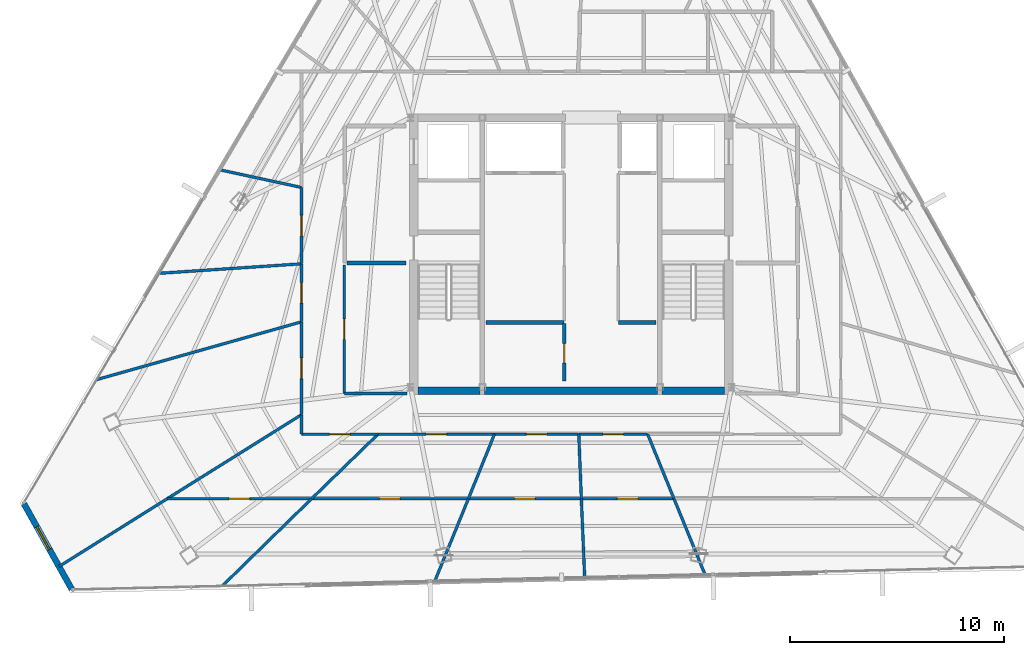
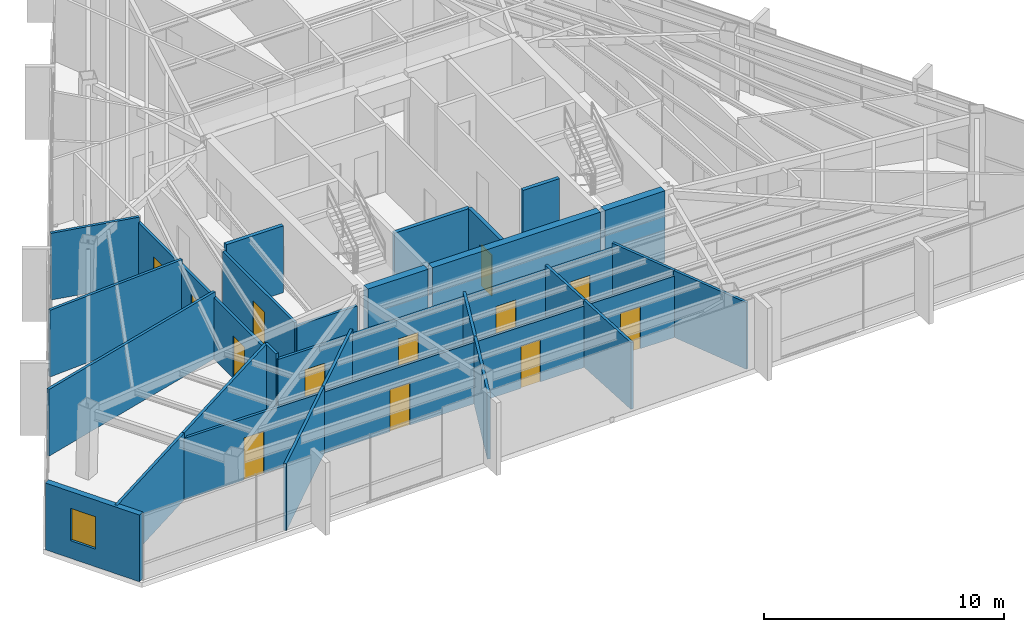
# One storey, part 40 of 45: 35 walls, 13 doors, 1 window, 14 openings.
"""IFC4 building model written with IfcOpenShell, lengths in metres."""

from ifc_helpers import new_model, si_unit, direction, frame, frame_2d, origin, place, context, subcontext, project, spatial, rectangle, extrude, material, layer, layer_set, type_object, element, fill, save


model = new_model("IFC4")

# Units and contexts
model_context = context("Model", 3, precision=1e-05, world=origin(), true_north=direction((0.0, 1.0)))
body_context = subcontext(model_context, "Body", "Model", "MODEL_VIEW")
ifc_project = project(units=[si_unit("LENGTHUNIT", "METRE"), si_unit("AREAUNIT", "SQUARE_METRE"), si_unit("VOLUMEUNIT", "CUBIC_METRE"), si_unit("PLANEANGLEUNIT", "RADIAN"), si_unit("MASSUNIT", "GRAM", prefix="KILO")], contexts=[model_context])

# Site, building, storey
site_placement = place(None, origin())
site = spatial("IfcSite", under=ifc_project, at=site_placement, CompositionType="ELEMENT")
building_placement = place(site_placement, origin())
building = spatial("IfcBuilding", under=site, at=building_placement, Name="Caelisora Broadcast Tower", CompositionType="ELEMENT")
storey_placement = place(building_placement, frame((0.0, 0.0, 266.35009765625)))
storey = spatial("IfcBuildingStorey", under=building, at=storey_placement, Name="L70", CompositionType="ELEMENT", Elevation=266.35009765625)

# Walls
ifc_material_1 = material(Name="Concrete 40 MPa (AS 3600 N40)", Category="concrete")
ifc_layer_1 = layer(ifc_material_1, 0.35009765625, Name="Concrete 40 MPa (AS 3600 N40)")
ifc_layer_set_1 = layer_set([ifc_layer_1], Name="Concrete 40 MPa (AS 3600 N40)")
wall_type_1 = type_object("IfcWallType", Name="CW6", PredefinedType="SHEAR", material=ifc_layer_set_1)
wall_1_placement = place(storey_placement, frame((30.840087890625, 17.22509765625, 0.0), z_axis=(0.0, 0.0, 1.0), x_axis=(1.0, 0.0, 0.0)))
element("IfcWall", 1, at=wall_1_placement, inside=storey, type_object=wall_type_1, Name="L70 core shear wall CW6", PredefinedType="SHEAR", context=body_context, shape_type="SweptSolid", body=[
    extrude(rectangle(XDim=2.89990234375, YDim=0.35009765625, at=frame_2d((1.449951171875, 0.0))), origin(), (0.0, 0.0, 1.0), 3.64990234375),
])
wall_2_placement = place(storey_placement, frame((33.9599609375, 17.22509765625, 0.0), z_axis=(0.0, 0.0, 1.0), x_axis=(1.0, 0.0, 0.0)))
element("IfcWall", 2, at=wall_2_placement, inside=storey, type_object=wall_type_1, Name="L70 core shear wall CW6", PredefinedType="SHEAR", context=body_context, shape_type="SweptSolid", body=[
    extrude(rectangle(XDim=8.080078125, YDim=0.35009765625, at=frame_2d((4.0400390625, 0.0))), origin(), (0.0, 0.0, 1.0), 3.64990234375),
])
wall_3_placement = place(storey_placement, frame((42.260009765625, 17.22509765625, 0.0), z_axis=(0.0, 0.0, 1.0), x_axis=(1.0, 0.0, 0.0)))
element("IfcWall", 3, at=wall_3_placement, inside=storey, type_object=wall_type_1, Name="L70 core shear wall CW6", PredefinedType="SHEAR", context=body_context, shape_type="SweptSolid", body=[
    extrude(rectangle(XDim=2.89990234375, YDim=0.35009765625, at=frame_2d((1.449951171875, 0.0))), origin(), (0.0, 0.0, 1.0), 3.64990234375),
])

# Wall, opening, window
ifc_material_2 = material(Name="Insulated Terracotta Spandrel Wall System", Category="masonry")
ifc_layer_2 = layer(ifc_material_2, 0.280029296875, Name="Insulated Terracotta Spandrel Wall System")
ifc_layer_set_2 = layer_set([ifc_layer_2], Name="Insulated Terracotta Spandrel Wall System")
wall_type_2 = type_object("IfcWallType", Name="EW1", PredefinedType="STANDARD", material=ifc_layer_set_2)
wall_4_placement = place(storey_placement, frame((14.659423828125, 7.953125, 0.0), z_axis=(0.0, 0.0, 1.0), x_axis=(-0.487850090172, 0.872927425116, 0.0)))
wall_4 = element("IfcWall", 4, at=wall_4_placement, inside=storey, type_object=wall_type_2, Name="L70 exterior envelope wall EW1", PredefinedType="STANDARD", context=body_context, shape_type="SweptSolid", body=[
    extrude(rectangle(XDim=4.570556640625, YDim=0.280029296875, at=frame_2d((2.28515625, 0.0))), origin(), (0.0, 0.0, 1.0), 3.39990234375),
])
opening_1_placement = place(wall_4_placement, frame((2.139892578125, 0.0, 0.89990234375)))
opening_1 = element("IfcOpeningElement", 5, at=opening_1_placement, cuts=wall_4, Name="Opening W03", PredefinedType="OPENING", context=body_context, shape_type="SweptSolid", body=[
    extrude(rectangle(XDim=1.199951171875, YDim=1.64990234375, at=frame_2d((0.60009765625, 0.824951171875))), frame((0.0, 0.152099609375, 0.0), z_axis=(0.0, -1.0, 0.0), x_axis=(1.0, 0.0, 0.0)), (0.0, 0.0, 1.0), 0.303955078125),
])
ifc_material_3 = material(Name="Double Glazed Corner Vision Window", Category="glass")
window_type = type_object("IfcWindowType", Name="W03", PartitioningType="SINGLE_PANEL", PredefinedType="WINDOW", material=ifc_material_3)
window_placement = place(opening_1_placement, origin())
window = element("IfcWindow", 6, at=window_placement, inside=storey, type_object=window_type, Name="L70 window W03 (L70-WN-CH4)", OverallHeight=1.64990234375, OverallWidth=1.199951171875, PartitioningType="SINGLE_PANEL", PredefinedType="WINDOW", context=body_context, shape_type="SweptSolid", body=[
    extrude(rectangle(XDim=1.199951171875, YDim=1.64990234375, at=frame_2d((0.60009765625, 0.824951171875))), frame((0.0, 0.030029296875, 0.0), z_axis=(0.0, -1.0, 0.0), x_axis=(1.0, 0.0, 0.0)), (0.0, 0.0, 1.0), 0.06005859375),
])
fill(opening_1, window)

# Walls
ifc_material_4 = material(Name="Fire-Rated Gypsum Shaft and Compartment Wall", Category="gypsum")
ifc_layer_3 = layer(ifc_material_4, 0.179931640625, Name="Fire-Rated Gypsum Shaft and Compartment Wall")
ifc_layer_set_3 = layer_set([ifc_layer_3], Name="Fire-Rated Gypsum Shaft and Compartment Wall")
wall_type_3 = type_object("IfcWallType", Name="PW2", PredefinedType="PARTITIONING", material=ifc_layer_set_3)
wall_5_placement = place(storey_placement, frame((27.52001953125, 23.199951171875, 0.0), z_axis=(0.0, 0.0, 1.0), x_axis=(1.0, 0.0, 0.0)))
element("IfcWall", 7, at=wall_5_placement, inside=storey, type_object=wall_type_3, Name="L70 fire compartment wall PW2", PredefinedType="PARTITIONING", context=body_context, shape_type="SweptSolid", body=[
    extrude(rectangle(XDim=2.760009765625, YDim=0.179931640625, at=frame_2d((1.3798828125, 0.0))), origin(), (0.0, 0.0, 1.0), 3.39990234375),
])
wall_6_placement = place(storey_placement, frame((34.02001953125, 20.419921875, 0.0), z_axis=(0.0, 0.0, 1.0), x_axis=(1.0, 0.0, 0.0)))
element("IfcWall", 8, at=wall_6_placement, inside=storey, type_object=wall_type_3, Name="L70 fire compartment wall PW2", PredefinedType="PARTITIONING", context=body_context, shape_type="SweptSolid", body=[
    extrude(rectangle(XDim=3.639892578125, YDim=0.179931640625, at=frame_2d((1.81982421875, 0.0))), origin(), (0.0, 0.0, 1.0), 3.39990234375),
])
wall_7_placement = place(storey_placement, frame((40.219970703125, 20.419921875, 0.0), z_axis=(0.0, 0.0, 1.0), x_axis=(1.0, 0.0, 0.0)))
element("IfcWall", 9, at=wall_7_placement, inside=storey, type_object=wall_type_3, Name="L70 fire compartment wall PW2", PredefinedType="PARTITIONING", context=body_context, shape_type="SweptSolid", body=[
    extrude(rectangle(XDim=1.760009765625, YDim=0.179931640625, at=frame_2d((0.8798828125, 0.0))), origin(), (0.0, 0.0, 1.0), 3.39990234375),
])

# Wall, opening, door
wall_8_placement = place(storey_placement, frame((37.679931640625, 17.679931640625, 0.0), z_axis=(0.0, 0.0, 1.0), x_axis=(0.0, 1.0, 0.0)))
wall_8 = element("IfcWall", 10, at=wall_8_placement, inside=storey, type_object=wall_type_3, Name="L70 fire compartment wall PW2", PredefinedType="PARTITIONING", context=body_context, shape_type="SweptSolid", body=[
    extrude(rectangle(XDim=2.699951171875, YDim=0.179931640625, at=frame_2d((1.35009765625, 0.0))), origin(), (0.0, 0.0, 1.0), 3.39990234375),
])
opening_2_placement = place(wall_8_placement, frame((0.85009765625, 0.0, 0.0)))
opening_2 = element("IfcOpeningElement", 11, at=opening_2_placement, cuts=wall_8, Name="Opening FD03", PredefinedType="OPENING", context=body_context, shape_type="SweptSolid", body=[
    extrude(rectangle(XDim=0.89990234375, YDim=2.10009765625, at=frame_2d((0.449951171875, 1.050048828125))), frame((0.0, 0.10205078125, 0.0), z_axis=(0.0, -1.0, 0.0), x_axis=(1.0, 0.0, 0.0)), (0.0, 0.0, 1.0), 0.203857421875),
])
ifc_material_5 = material(Name="Single-Leaf Steel Riser Fire Access Door", Category="steel")
door_type_1 = type_object("IfcDoorType", Name="FD03", OperationType="NOTDEFINED", PredefinedType="DOOR", material=ifc_material_5)
door_1_placement = place(opening_2_placement, origin())
door_1 = element("IfcDoor", 12, at=door_1_placement, inside=storey, type_object=door_type_1, Name="L70 door FD03 (L70-DR-P13D1)", OperationType="SINGLE_SWING_LEFT", OverallHeight=2.10009765625, OverallWidth=0.89990234375, PredefinedType="DOOR", context=body_context, shape_type="SweptSolid", body=[
    extrude(rectangle(XDim=0.89990234375, YDim=2.10009765625, at=frame_2d((0.449951171875, 1.050048828125))), frame((0.0, 0.02490234375, 0.0), z_axis=(0.0, -1.0, 0.0), x_axis=(1.0, 0.0, 0.0)), (0.0, 0.0, 1.0), 0.050048828125),
])
fill(opening_2, door_1)

# Walls
ifc_material_6 = material(Name="Acoustic Steel-Stud Plasterboard Partition", Category="gypsum")
ifc_layer_4 = layer(ifc_material_6, 0.1298828125, Name="Acoustic Steel-Stud Plasterboard Partition")
ifc_layer_set_4 = layer_set([ifc_layer_4], Name="Acoustic Steel-Stud Plasterboard Partition")
wall_type_4 = type_object("IfcWallType", Name="PW3", PredefinedType="PARTITIONING", material=ifc_layer_set_4)
wall_9_placement = place(storey_placement, frame((15.82177734375, 17.747314453125, 0.0), z_axis=(0.0, 0.0, 1.0), x_axis=(0.962409875461, 0.271601236403, 0.0)))
element("IfcWall", 13, at=wall_9_placement, inside=storey, type_object=wall_type_4, Name="L70 internal partition PW3", PredefinedType="PARTITIONING", context=body_context, shape_type="SweptSolid", body=[
    extrude(rectangle(XDim=9.947265625, YDim=0.1298828125, at=frame_2d((4.9736328125, 0.0))), origin(), (0.0, 0.0, 1.0), 3.39990234375),
])
wall_10_placement = place(storey_placement, frame((19.1240234375, 12.18310546875, 0.0), z_axis=(0.0, 0.0, 1.0), x_axis=(0.847764627616, 0.530372638966, 0.0)))
element("IfcWall", 14, at=wall_10_placement, inside=storey, type_object=wall_type_4, Name="L70 internal partition PW3", PredefinedType="PARTITIONING", context=body_context, shape_type="SweptSolid", body=[
    extrude(rectangle(XDim=7.398193359375, YDim=0.1298828125, at=frame_2d((3.69921875, 0.0))), origin(), (0.0, 0.0, 1.0), 3.39990234375),
])

# Wall, opening, door
wall_11_placement = place(storey_placement, frame((25.875, 12.179931640625, 0.0), z_axis=(0.0, 0.0, 1.0), x_axis=(1.0, 0.0, 0.0)))
wall_11 = element("IfcWall", 15, at=wall_11_placement, inside=storey, type_object=wall_type_4, Name="L70 internal partition PW3", PredefinedType="PARTITIONING", context=body_context, shape_type="SweptSolid", body=[
    extrude(rectangle(XDim=7.320068359375, YDim=0.1298828125, at=frame_2d((3.66015625, 0.0))), origin(), (0.0, 0.0, 1.0), 3.128662109375),
])
opening_3_placement = place(wall_11_placement, frame((3.179931640625, 0.0, 0.0)))
opening_3 = element("IfcOpeningElement", 16, at=opening_3_placement, cuts=wall_11, Name="Opening D01", PredefinedType="OPENING", context=body_context, shape_type="SweptSolid", body=[
    extrude(rectangle(XDim=0.9599609375, YDim=2.14990234375, at=frame_2d((0.47998046875, 1.074951171875))), frame((0.0, 0.076904296875, 0.0), z_axis=(0.0, -1.0, 0.0), x_axis=(1.0, 0.0, 0.0)), (0.0, 0.0, 1.0), 0.15380859375),
])
ifc_material_7 = material(Name="Solid-Core Timber Acoustic Office Door", Category="wood")
door_type_2 = type_object("IfcDoorType", Name="D01", OperationType="NOTDEFINED", PredefinedType="DOOR", material=ifc_material_7)
door_2_placement = place(opening_3_placement, origin())
door_2 = element("IfcDoor", 17, at=door_2_placement, inside=storey, type_object=door_type_2, Name="L70 door D01 (L70-DR-P38D1)", OperationType="SINGLE_SWING_LEFT", OverallHeight=2.14990234375, OverallWidth=0.9599609375, PredefinedType="DOOR", context=body_context, shape_type="SweptSolid", body=[
    extrude(rectangle(XDim=0.9599609375, YDim=2.14990234375, at=frame_2d((0.47998046875, 1.074951171875))), frame((0.0, 0.02490234375, 0.0), z_axis=(0.0, -1.0, 0.0), x_axis=(1.0, 0.0, 0.0)), (0.0, 0.0, 1.0), 0.050048828125),
])
fill(opening_3, door_2)

# Wall
wall_12_placement = place(storey_placement, frame((18.75732421875, 22.7177734375, 0.0), z_axis=(0.0, 0.0, 1.0), x_axis=(0.997788891199, 0.066462986684, 0.0)))
element("IfcWall", 18, at=wall_12_placement, inside=storey, type_object=wall_type_4, Name="L70 internal partition PW3", PredefinedType="PARTITIONING", context=body_context, shape_type="SweptSolid", body=[
    extrude(rectangle(XDim=6.65234375, YDim=0.1298828125, at=frame_2d((3.326171875, 0.0))), origin(), (0.0, 0.0, 1.0), 3.39990234375),
])

# Wall, opening, door
wall_13_placement = place(storey_placement, frame((19.125, 12.179931640625, 0.0), z_axis=(0.0, 0.0, 1.0), x_axis=(1.0, 0.0, 0.0)))
wall_13 = element("IfcWall", 19, at=wall_13_placement, inside=storey, type_object=wall_type_4, Name="L70 internal partition PW3", PredefinedType="PARTITIONING", context=body_context, shape_type="SweptSolid", body=[
    extrude(rectangle(XDim=6.739990234375, YDim=0.1298828125, at=frame_2d((3.3701171875, 0.0))), origin(), (0.0, 0.0, 1.0), 3.128662109375),
])
opening_4_placement = place(wall_13_placement, frame((2.889892578125, 0.0, 0.0)))
opening_4 = element("IfcOpeningElement", 20, at=opening_4_placement, cuts=wall_13, Name="Opening D01", PredefinedType="OPENING", context=body_context, shape_type="SweptSolid", body=[
    extrude(rectangle(XDim=0.9599609375, YDim=2.14990234375, at=frame_2d((0.47998046875, 1.074951171875))), frame((0.0, 0.076904296875, 0.0), z_axis=(0.0, -1.0, 0.0), x_axis=(1.0, 0.0, 0.0)), (0.0, 0.0, 1.0), 0.15380859375),
])
door_3_placement = place(opening_4_placement, origin())
door_3 = element("IfcDoor", 21, at=door_3_placement, inside=storey, type_object=door_type_2, Name="L70 door D01 (L70-DR-P40D1)", OperationType="SINGLE_SWING_RIGHT", OverallHeight=2.14990234375, OverallWidth=0.9599609375, PredefinedType="DOOR", context=body_context, shape_type="SweptSolid", body=[
    extrude(rectangle(XDim=0.9599609375, YDim=2.14990234375, at=frame_2d((0.47998046875, 1.074951171875))), frame((0.0, 0.02490234375, 0.0), z_axis=(0.0, -1.0, 0.0), x_axis=(1.0, 0.0, 0.0)), (0.0, 0.0, 1.0), 0.050048828125),
])
fill(opening_4, door_3)

wall_14_placement = place(storey_placement, frame((27.39990234375, 17.10498046875, 0.0), z_axis=(0.0, 0.0, 1.0), x_axis=(0.0, 1.0, 0.0)))
wall_14 = element("IfcWall", 22, at=wall_14_placement, inside=storey, type_object=wall_type_4, Name="L70 internal partition PW3", PredefinedType="PARTITIONING", context=body_context, shape_type="SweptSolid", body=[
    extrude(rectangle(XDim=6.0, YDim=0.1298828125, at=frame_2d((3.0, 0.0))), origin(), (0.0, 0.0, 1.0), 3.128662109375),
])
opening_5_placement = place(wall_14_placement, frame((2.52001953125, 0.0, 0.0)))
opening_5 = element("IfcOpeningElement", 23, at=opening_5_placement, cuts=wall_14, Name="Opening D01", PredefinedType="OPENING", context=body_context, shape_type="SweptSolid", body=[
    extrude(rectangle(XDim=0.9599609375, YDim=2.14990234375, at=frame_2d((0.47998046875, 1.074951171875))), frame((0.0, 0.076904296875, 0.0), z_axis=(0.0, -1.0, 0.0), x_axis=(1.0, 0.0, 0.0)), (0.0, 0.0, 1.0), 0.15380859375),
])
door_4_placement = place(opening_5_placement, origin())
door_4 = element("IfcDoor", 24, at=door_4_placement, inside=storey, type_object=door_type_2, Name="L70 door D01 (L70-DR-P42D1)", OperationType="SINGLE_SWING_LEFT", OverallHeight=2.14990234375, OverallWidth=0.9599609375, PredefinedType="DOOR", context=body_context, shape_type="SweptSolid", body=[
    extrude(rectangle(XDim=0.9599609375, YDim=2.14990234375, at=frame_2d((0.47998046875, 1.074951171875))), frame((0.0, 0.02490234375, 0.0), z_axis=(0.0, -1.0, 0.0), x_axis=(1.0, 0.0, 0.0)), (0.0, 0.0, 1.0), 0.050048828125),
])
fill(opening_5, door_4)

# Walls
wall_15_placement = place(storey_placement, frame((14.06201171875, 9.011474609375, 0.0), z_axis=(0.0, 0.0, 1.0), x_axis=(0.847485015363, 0.530819318352, 0.0)))
element("IfcWall", 25, at=wall_15_placement, inside=storey, type_object=wall_type_4, Name="L70 internal partition PW3", PredefinedType="PARTITIONING", context=body_context, shape_type="SweptSolid", body=[
    extrude(rectangle(XDim=5.96337890625, YDim=0.1298828125, at=frame_2d((2.981689453125, 0.0))), origin(), (0.0, 0.0, 1.0), 3.39990234375),
])
wall_16_placement = place(storey_placement, frame((21.681884765625, 8.089599609375, 0.0), z_axis=(0.0, 0.0, 1.0), x_axis=(0.715322804815, 0.698794164909, 0.0)))
element("IfcWall", 26, at=wall_16_placement, inside=storey, type_object=wall_type_4, Name="L70 internal partition PW3", PredefinedType="PARTITIONING", context=body_context, shape_type="SweptSolid", body=[
    extrude(rectangle(XDim=5.84912109375, YDim=0.1298828125, at=frame_2d((2.924560546875, 0.0))), origin(), (0.0, 0.0, 1.0), 3.39990234375),
])

# Wall, opening, door
wall_17_placement = place(storey_placement, frame((28.985107421875, 15.199951171875, 0.0), z_axis=(0.0, 0.0, 1.0), x_axis=(1.0, 0.0, 0.0)))
wall_17 = element("IfcWall", 27, at=wall_17_placement, inside=storey, type_object=wall_type_4, Name="L70 internal partition PW3", PredefinedType="PARTITIONING", context=body_context, shape_type="SweptSolid", body=[
    extrude(rectangle(XDim=5.429931640625, YDim=0.1298828125, at=frame_2d((2.71484375, 0.0))), origin(), (0.0, 0.0, 1.0), 3.128662109375),
])
opening_6_placement = place(wall_17_placement, frame((2.235107421875, 0.0, 0.0)))
opening_6 = element("IfcOpeningElement", 28, at=opening_6_placement, cuts=wall_17, Name="Opening D01", PredefinedType="OPENING", context=body_context, shape_type="SweptSolid", body=[
    extrude(rectangle(XDim=0.9599609375, YDim=2.14990234375, at=frame_2d((0.47998046875, 1.074951171875))), frame((0.0, 0.076904296875, 0.0), z_axis=(0.0, -1.0, 0.0), x_axis=(1.0, 0.0, 0.0)), (0.0, 0.0, 1.0), 0.15380859375),
])
door_5_placement = place(opening_6_placement, origin())
door_5 = element("IfcDoor", 29, at=door_5_placement, inside=storey, type_object=door_type_2, Name="L70 door D01 (L70-DR-P47D1)", OperationType="SINGLE_SWING_LEFT", OverallHeight=2.14990234375, OverallWidth=0.9599609375, PredefinedType="DOOR", context=body_context, shape_type="SweptSolid", body=[
    extrude(rectangle(XDim=0.9599609375, YDim=2.14990234375, at=frame_2d((0.47998046875, 1.074951171875))), frame((0.0, 0.02490234375, 0.0), z_axis=(0.0, -1.0, 0.0), x_axis=(1.0, 0.0, 0.0)), (0.0, 0.0, 1.0), 0.050048828125),
])
fill(opening_6, door_5)

wall_18_placement = place(storey_placement, frame((33.205078125, 12.179931640625, 0.0), z_axis=(0.0, 0.0, 1.0), x_axis=(1.0, 0.0, 0.0)))
wall_18 = element("IfcWall", 30, at=wall_18_placement, inside=storey, type_object=wall_type_4, Name="L70 internal partition PW3", PredefinedType="PARTITIONING", context=body_context, shape_type="SweptSolid", body=[
    extrude(rectangle(XDim=5.27001953125, YDim=0.1298828125, at=frame_2d((2.635009765625, 0.0))), origin(), (0.0, 0.0, 1.0), 3.128662109375),
])
opening_7_placement = place(wall_18_placement, frame((2.155029296875, 0.0, 0.0)))
opening_7 = element("IfcOpeningElement", 31, at=opening_7_placement, cuts=wall_18, Name="Opening D01", PredefinedType="OPENING", context=body_context, shape_type="SweptSolid", body=[
    extrude(rectangle(XDim=0.9599609375, YDim=2.14990234375, at=frame_2d((0.47998046875, 1.074951171875))), frame((0.0, 0.076904296875, 0.0), z_axis=(0.0, -1.0, 0.0), x_axis=(1.0, 0.0, 0.0)), (0.0, 0.0, 1.0), 0.15380859375),
])
door_6_placement = place(opening_7_placement, origin())
door_6 = element("IfcDoor", 32, at=door_6_placement, inside=storey, type_object=door_type_2, Name="L70 door D01 (L70-DR-P49D1)", OperationType="SINGLE_SWING_LEFT", OverallHeight=2.14990234375, OverallWidth=0.9599609375, PredefinedType="DOOR", context=body_context, shape_type="SweptSolid", body=[
    extrude(rectangle(XDim=0.9599609375, YDim=2.14990234375, at=frame_2d((0.47998046875, 1.074951171875))), frame((0.0, 0.02490234375, 0.0), z_axis=(0.0, -1.0, 0.0), x_axis=(1.0, 0.0, 0.0)), (0.0, 0.0, 1.0), 0.050048828125),
])
fill(opening_7, door_6)

wall_19_placement = place(storey_placement, frame((25.39990234375, 16.114990234375, 0.0), z_axis=(0.0, 0.0, 1.0), x_axis=(0.0, 1.0, 0.0)))
wall_19 = element("IfcWall", 33, at=wall_19_placement, inside=storey, type_object=wall_type_4, Name="L70 internal partition PW3", PredefinedType="PARTITIONING", context=body_context, shape_type="SweptSolid", body=[
    extrude(rectangle(XDim=4.330078125, YDim=0.1298828125, at=frame_2d((2.1650390625, 0.0))), origin(), (0.0, 0.0, 1.0), 3.128662109375),
])
opening_8_placement = place(wall_19_placement, frame((1.68505859375, 0.0, 0.0)))
opening_8 = element("IfcOpeningElement", 34, at=opening_8_placement, cuts=wall_19, Name="Opening D01", PredefinedType="OPENING", context=body_context, shape_type="SweptSolid", body=[
    extrude(rectangle(XDim=0.9599609375, YDim=2.14990234375, at=frame_2d((0.47998046875, 1.074951171875))), frame((0.0, 0.076904296875, 0.0), z_axis=(0.0, -1.0, 0.0), x_axis=(1.0, 0.0, 0.0)), (0.0, 0.0, 1.0), 0.15380859375),
])
door_7_placement = place(opening_8_placement, origin())
door_7 = element("IfcDoor", 35, at=door_7_placement, inside=storey, type_object=door_type_2, Name="L70 door D01 (L70-DR-P51D1)", OperationType="SINGLE_SWING_RIGHT", OverallHeight=2.14990234375, OverallWidth=0.9599609375, PredefinedType="DOOR", context=body_context, shape_type="SweptSolid", body=[
    extrude(rectangle(XDim=0.9599609375, YDim=2.14990234375, at=frame_2d((0.47998046875, 1.074951171875))), frame((0.0, 0.02490234375, 0.0), z_axis=(0.0, -1.0, 0.0), x_axis=(1.0, 0.0, 0.0)), (0.0, 0.0, 1.0), 0.050048828125),
])
fill(opening_8, door_7)

# Wall
wall_20_placement = place(storey_placement, frame((25.8740234375, 12.18310546875, 0.0), z_axis=(0.0, 0.0, 1.0), x_axis=(0.717222148576, 0.696844595008, 0.0)))
element("IfcWall", 36, at=wall_20_placement, inside=storey, type_object=wall_type_4, Name="L70 internal partition PW3", PredefinedType="PARTITIONING", context=body_context, shape_type="SweptSolid", body=[
    extrude(rectangle(XDim=4.3251953125, YDim=0.1298828125, at=frame_2d((2.16259765625, 0.0))), origin(), (0.0, 0.0, 1.0), 3.39990234375),
])

# Wall, opening, door
wall_21_placement = place(storey_placement, frame((38.485107421875, 12.179931640625, 0.0), z_axis=(0.0, 0.0, 1.0), x_axis=(1.0, 0.0, 0.0)))
wall_21 = element("IfcWall", 37, at=wall_21_placement, inside=storey, type_object=wall_type_4, Name="L70 internal partition PW3", PredefinedType="PARTITIONING", context=body_context, shape_type="SweptSolid", body=[
    extrude(rectangle(XDim=4.31982421875, YDim=0.1298828125, at=frame_2d((2.159912109375, 0.0))), origin(), (0.0, 0.0, 1.0), 3.128662109375),
])
opening_9_placement = place(wall_21_placement, frame((1.679931640625, 0.0, 0.0)))
opening_9 = element("IfcOpeningElement", 38, at=opening_9_placement, cuts=wall_21, Name="Opening D01", PredefinedType="OPENING", context=body_context, shape_type="SweptSolid", body=[
    extrude(rectangle(XDim=0.9599609375, YDim=2.14990234375, at=frame_2d((0.47998046875, 1.074951171875))), frame((0.0, 0.076904296875, 0.0), z_axis=(0.0, -1.0, 0.0), x_axis=(1.0, 0.0, 0.0)), (0.0, 0.0, 1.0), 0.15380859375),
])
door_8_placement = place(opening_9_placement, origin())
door_8 = element("IfcDoor", 39, at=door_8_placement, inside=storey, type_object=door_type_2, Name="L70 door D01 (L70-DR-P53D1)", OperationType="SINGLE_SWING_LEFT", OverallHeight=2.14990234375, OverallWidth=0.9599609375, PredefinedType="DOOR", context=body_context, shape_type="SweptSolid", body=[
    extrude(rectangle(XDim=0.9599609375, YDim=2.14990234375, at=frame_2d((0.47998046875, 1.074951171875))), frame((0.0, 0.02490234375, 0.0), z_axis=(0.0, -1.0, 0.0), x_axis=(1.0, 0.0, 0.0)), (0.0, 0.0, 1.0), 0.050048828125),
])
fill(opening_9, door_8)

# Walls
wall_22_placement = place(storey_placement, frame((31.629638671875, 8.327392578125, 0.0), z_axis=(0.0, 0.0, 1.0), x_axis=(0.377461127156, 0.926025430259, 0.0)))
element("IfcWall", 40, at=wall_22_placement, inside=storey, type_object=wall_type_4, Name="L70 internal partition PW3", PredefinedType="PARTITIONING", context=body_context, shape_type="SweptSolid", body=[
    extrude(rectangle(XDim=4.155029296875, YDim=0.1298828125, at=frame_2d((2.07763671875, 0.0))), origin(), (0.0, 0.0, 1.0), 3.39990234375),
])
wall_23_placement = place(storey_placement, frame((21.6103515625, 27.54833984375, 0.0), z_axis=(0.0, 0.0, 1.0), x_axis=(0.977463420443, -0.211104859479, 0.0)))
element("IfcWall", 41, at=wall_23_placement, inside=storey, type_object=wall_type_4, Name="L70 internal partition PW3", PredefinedType="PARTITIONING", context=body_context, shape_type="SweptSolid", body=[
    extrude(rectangle(XDim=3.871826171875, YDim=0.1298828125, at=frame_2d((1.93603515625, 0.0))), origin(), (0.0, 0.0, 1.0), 3.39990234375),
])

# Wall, opening, door
wall_24_placement = place(storey_placement, frame((34.425048828125, 15.199951171875, 0.0), z_axis=(0.0, 0.0, 1.0), x_axis=(1.0, 0.0, 0.0)))
wall_24 = element("IfcWall", 42, at=wall_24_placement, inside=storey, type_object=wall_type_4, Name="L70 internal partition PW3", PredefinedType="PARTITIONING", context=body_context, shape_type="SweptSolid", body=[
    extrude(rectangle(XDim=3.929931640625, YDim=0.1298828125, at=frame_2d((1.96484375, 0.0))), origin(), (0.0, 0.0, 1.0), 3.128662109375),
])
opening_10_placement = place(wall_24_placement, frame((1.485107421875, 0.0, 0.0)))
opening_10 = element("IfcOpeningElement", 43, at=opening_10_placement, cuts=wall_24, Name="Opening D01", PredefinedType="OPENING", context=body_context, shape_type="SweptSolid", body=[
    extrude(rectangle(XDim=0.9599609375, YDim=2.14990234375, at=frame_2d((0.47998046875, 1.074951171875))), frame((0.0, 0.076904296875, 0.0), z_axis=(0.0, -1.0, 0.0), x_axis=(1.0, 0.0, 0.0)), (0.0, 0.0, 1.0), 0.15380859375),
])
door_9_placement = place(opening_10_placement, origin())
door_9 = element("IfcDoor", 44, at=door_9_placement, inside=storey, type_object=door_type_2, Name="L70 door D01 (L70-DR-P59D1)", OperationType="SINGLE_SWING_LEFT", OverallHeight=2.14990234375, OverallWidth=0.9599609375, PredefinedType="DOOR", context=body_context, shape_type="SweptSolid", body=[
    extrude(rectangle(XDim=0.9599609375, YDim=2.14990234375, at=frame_2d((0.47998046875, 1.074951171875))), frame((0.0, 0.02490234375, 0.0), z_axis=(0.0, -1.0, 0.0), x_axis=(1.0, 0.0, 0.0)), (0.0, 0.0, 1.0), 0.050048828125),
])
fill(opening_10, door_9)

# Walls
wall_25_placement = place(storey_placement, frame((42.81201171875, 12.175048828125, 0.0), z_axis=(0.0, 0.0, 1.0), x_axis=(0.378838783076, -0.925462682358, 0.0)))
element("IfcWall", 45, at=wall_25_placement, inside=storey, type_object=wall_type_4, Name="L70 internal partition PW3", PredefinedType="PARTITIONING", context=body_context, shape_type="SweptSolid", body=[
    extrude(rectangle(XDim=3.831298828125, YDim=0.1298828125, at=frame_2d((1.91552734375, 0.0))), origin(), (0.0, 0.0, 1.0), 3.39990234375),
])
wall_26_placement = place(storey_placement, frame((38.47998046875, 12.175048828125, 0.0), z_axis=(0.0, 0.0, 1.0), x_axis=(0.042352835054, -0.999102716122, 0.0)))
element("IfcWall", 46, at=wall_26_placement, inside=storey, type_object=wall_type_4, Name="L70 internal partition PW3", PredefinedType="PARTITIONING", context=body_context, shape_type="SweptSolid", body=[
    extrude(rectangle(XDim=3.68359375, YDim=0.1298828125, at=frame_2d((1.841796875, 0.0))), origin(), (0.0, 0.0, 1.0), 3.39990234375),
])

# Wall, opening, door
wall_27_placement = place(storey_placement, frame((25.405029296875, 15.199951171875, 0.0), z_axis=(0.0, 0.0, 1.0), x_axis=(1.0, 0.0, 0.0)))
wall_27 = element("IfcWall", 47, at=wall_27_placement, inside=storey, type_object=wall_type_4, Name="L70 internal partition PW3", PredefinedType="PARTITIONING", context=body_context, shape_type="SweptSolid", body=[
    extrude(rectangle(XDim=3.570068359375, YDim=0.1298828125, at=frame_2d((1.78515625, 0.0))), origin(), (0.0, 0.0, 1.0), 3.128662109375),
])
opening_11_placement = place(wall_27_placement, frame((1.304931640625, 0.0, 0.0)))
opening_11 = element("IfcOpeningElement", 48, at=opening_11_placement, cuts=wall_27, Name="Opening D01", PredefinedType="OPENING", context=body_context, shape_type="SweptSolid", body=[
    extrude(rectangle(XDim=0.9599609375, YDim=2.14990234375, at=frame_2d((0.47998046875, 1.074951171875))), frame((0.0, 0.076904296875, 0.0), z_axis=(0.0, -1.0, 0.0), x_axis=(1.0, 0.0, 0.0)), (0.0, 0.0, 1.0), 0.15380859375),
])
door_10_placement = place(opening_11_placement, origin())
door_10 = element("IfcDoor", 49, at=door_10_placement, inside=storey, type_object=door_type_2, Name="L70 door D01 (L70-DR-P62D1)", OperationType="SINGLE_SWING_RIGHT", OverallHeight=2.14990234375, OverallWidth=0.9599609375, PredefinedType="DOOR", context=body_context, shape_type="SweptSolid", body=[
    extrude(rectangle(XDim=0.9599609375, YDim=2.14990234375, at=frame_2d((0.47998046875, 1.074951171875))), frame((0.0, 0.02490234375, 0.0), z_axis=(0.0, -1.0, 0.0), x_axis=(1.0, 0.0, 0.0)), (0.0, 0.0, 1.0), 0.050048828125),
])
fill(opening_11, door_10)

wall_28_placement = place(storey_placement, frame((25.39990234375, 23.1650390625, 0.0), z_axis=(0.0, 0.0, 1.0), x_axis=(0.0, 1.0, 0.0)))
wall_28 = element("IfcWall", 50, at=wall_28_placement, inside=storey, type_object=wall_type_4, Name="L70 internal partition PW3", PredefinedType="PARTITIONING", context=body_context, shape_type="SweptSolid", body=[
    extrude(rectangle(XDim=3.56005859375, YDim=0.1298828125, at=frame_2d((1.780029296875, 0.0))), origin(), (0.0, 0.0, 1.0), 3.128662109375),
])
opening_12_placement = place(wall_28_placement, frame((1.300048828125, 0.0, 0.0)))
opening_12 = element("IfcOpeningElement", 51, at=opening_12_placement, cuts=wall_28, Name="Opening D01", PredefinedType="OPENING", context=body_context, shape_type="SweptSolid", body=[
    extrude(rectangle(XDim=0.9599609375, YDim=2.14990234375, at=frame_2d((0.47998046875, 1.074951171875))), frame((0.0, 0.076904296875, 0.0), z_axis=(0.0, -1.0, 0.0), x_axis=(1.0, 0.0, 0.0)), (0.0, 0.0, 1.0), 0.15380859375),
])
door_11_placement = place(opening_12_placement, origin())
door_11 = element("IfcDoor", 52, at=door_11_placement, inside=storey, type_object=door_type_2, Name="L70 door D01 (L70-DR-P63D1)", OperationType="SINGLE_SWING_LEFT", OverallHeight=2.14990234375, OverallWidth=0.9599609375, PredefinedType="DOOR", context=body_context, shape_type="SweptSolid", body=[
    extrude(rectangle(XDim=0.9599609375, YDim=2.14990234375, at=frame_2d((0.47998046875, 1.074951171875))), frame((0.0, 0.02490234375, 0.0), z_axis=(0.0, -1.0, 0.0), x_axis=(1.0, 0.0, 0.0)), (0.0, 0.0, 1.0), 0.050048828125),
])
fill(opening_12, door_11)

# Walls
wall_29_placement = place(storey_placement, frame((41.58203125, 15.195068359375, 0.0), z_axis=(0.0, 0.0, 1.0), x_axis=(0.377237234849, -0.926116660385, 0.0)))
element("IfcWall", 53, at=wall_29_placement, inside=storey, type_object=wall_type_4, Name="L70 internal partition PW3", PredefinedType="PARTITIONING", context=body_context, shape_type="SweptSolid", body=[
    extrude(rectangle(XDim=3.250244140625, YDim=0.1298828125, at=frame_2d((1.625, 0.0))), origin(), (0.0, 0.0, 1.0), 3.39990234375),
])
wall_30_placement = place(storey_placement, frame((33.201904296875, 12.18505859375, 0.0), z_axis=(0.0, 0.0, 1.0), x_axis=(0.374591119994, 0.927190106085, 0.0)))
element("IfcWall", 54, at=wall_30_placement, inside=storey, type_object=wall_type_4, Name="L70 internal partition PW3", PredefinedType="PARTITIONING", context=body_context, shape_type="SweptSolid", body=[
    extrude(rectangle(XDim=3.246337890625, YDim=0.1298828125, at=frame_2d((1.623046875, 0.0))), origin(), (0.0, 0.0, 1.0), 3.39990234375),
])

# Wall, opening, door
wall_31_placement = place(storey_placement, frame((38.364990234375, 15.199951171875, 0.0), z_axis=(0.0, 0.0, 1.0), x_axis=(1.0, 0.0, 0.0)))
wall_31 = element("IfcWall", 55, at=wall_31_placement, inside=storey, type_object=wall_type_4, Name="L70 internal partition PW3", PredefinedType="PARTITIONING", context=body_context, shape_type="SweptSolid", body=[
    extrude(rectangle(XDim=3.2099609375, YDim=0.1298828125, at=frame_2d((1.60498046875, 0.0))), origin(), (0.0, 0.0, 1.0), 3.128662109375),
])
opening_13_placement = place(wall_31_placement, frame((1.125, 0.0, 0.0)))
opening_13 = element("IfcOpeningElement", 56, at=opening_13_placement, cuts=wall_31, Name="Opening D01", PredefinedType="OPENING", context=body_context, shape_type="SweptSolid", body=[
    extrude(rectangle(XDim=0.9599609375, YDim=2.14990234375, at=frame_2d((0.47998046875, 1.074951171875))), frame((0.0, 0.076904296875, 0.0), z_axis=(0.0, -1.0, 0.0), x_axis=(1.0, 0.0, 0.0)), (0.0, 0.0, 1.0), 0.15380859375),
])
door_12_placement = place(opening_13_placement, origin())
door_12 = element("IfcDoor", 57, at=door_12_placement, inside=storey, type_object=door_type_2, Name="L70 door D01 (L70-DR-P66D1)", OperationType="SINGLE_SWING_RIGHT", OverallHeight=2.14990234375, OverallWidth=0.9599609375, PredefinedType="DOOR", context=body_context, shape_type="SweptSolid", body=[
    extrude(rectangle(XDim=0.9599609375, YDim=2.14990234375, at=frame_2d((0.47998046875, 1.074951171875))), frame((0.0, 0.02490234375, 0.0), z_axis=(0.0, -1.0, 0.0), x_axis=(1.0, 0.0, 0.0)), (0.0, 0.0, 1.0), 0.050048828125),
])
fill(opening_13, door_12)

# Walls
wall_32_placement = place(storey_placement, frame((38.360107421875, 15.195068359375, 0.0), z_axis=(0.0, 0.0, 1.0), x_axis=(0.039793259459, -0.999207934567, 0.0)))
element("IfcWall", 58, at=wall_32_placement, inside=storey, type_object=wall_type_4, Name="L70 internal partition PW3", PredefinedType="PARTITIONING", context=body_context, shape_type="SweptSolid", body=[
    extrude(rectangle(XDim=3.012451171875, YDim=0.1298828125, at=frame_2d((1.50634765625, 0.0))), origin(), (0.0, 0.0, 1.0), 3.39990234375),
])
wall_33_placement = place(storey_placement, frame((30.324951171875, 17.10009765625, 0.0), z_axis=(0.0, 0.0, 1.0), x_axis=(-1.0, 0.0, 0.0)))
element("IfcWall", 59, at=wall_33_placement, inside=storey, type_object=wall_type_4, Name="L70 internal partition PW3", PredefinedType="PARTITIONING", context=body_context, shape_type="SweptSolid", body=[
    extrude(rectangle(XDim=2.919921875, YDim=0.1298828125, at=frame_2d((1.4599609375, 0.0))), origin(), (0.0, 0.0, 1.0), 2.98486328125),
])

# Wall, opening, door
wall_34_placement = place(storey_placement, frame((25.39990234375, 20.455078125, 0.0), z_axis=(0.0, 0.0, 1.0), x_axis=(0.0, 1.0, 0.0)))
wall_34 = element("IfcWall", 60, at=wall_34_placement, inside=storey, type_object=wall_type_4, Name="L70 internal partition PW3", PredefinedType="PARTITIONING", context=body_context, shape_type="SweptSolid", body=[
    extrude(rectangle(XDim=2.699951171875, YDim=0.1298828125, at=frame_2d((1.35009765625, 0.0))), origin(), (0.0, 0.0, 1.0), 3.128662109375),
])
opening_14_placement = place(wall_34_placement, frame((0.8701171875, 0.0, 0.0)))
opening_14 = element("IfcOpeningElement", 61, at=opening_14_placement, cuts=wall_34, Name="Opening D01", PredefinedType="OPENING", context=body_context, shape_type="SweptSolid", body=[
    extrude(rectangle(XDim=0.9599609375, YDim=2.14990234375, at=frame_2d((0.47998046875, 1.074951171875))), frame((0.0, 0.076904296875, 0.0), z_axis=(0.0, -1.0, 0.0), x_axis=(1.0, 0.0, 0.0)), (0.0, 0.0, 1.0), 0.15380859375),
])
door_13_placement = place(opening_14_placement, origin())
door_13 = element("IfcDoor", 62, at=door_13_placement, inside=storey, type_object=door_type_2, Name="L70 door D01 (L70-DR-P71D1)", OperationType="SINGLE_SWING_RIGHT", OverallHeight=2.14990234375, OverallWidth=0.9599609375, PredefinedType="DOOR", context=body_context, shape_type="SweptSolid", body=[
    extrude(rectangle(XDim=0.9599609375, YDim=2.14990234375, at=frame_2d((0.47998046875, 1.074951171875))), frame((0.0, 0.02490234375, 0.0), z_axis=(0.0, -1.0, 0.0), x_axis=(1.0, 0.0, 0.0)), (0.0, 0.0, 1.0), 0.050048828125),
])
fill(opening_14, door_13)

# Wall
wall_35_placement = place(storey_placement, frame((25.39990234375, 16.10498046875, 0.0), z_axis=(0.0, 0.0, 1.0), x_axis=(0.0, -1.0, 0.0)))
element("IfcWall", 63, at=wall_35_placement, inside=storey, type_object=wall_type_4, Name="L70 internal partition PW3", PredefinedType="PARTITIONING", context=body_context, shape_type="SweptSolid", body=[
    extrude(rectangle(XDim=0.89990234375, YDim=0.1298828125, at=frame_2d((0.449951171875, 0.0))), origin(), (0.0, 0.0, 1.0), 3.39990234375),
])

save(model, "model.ifc")
